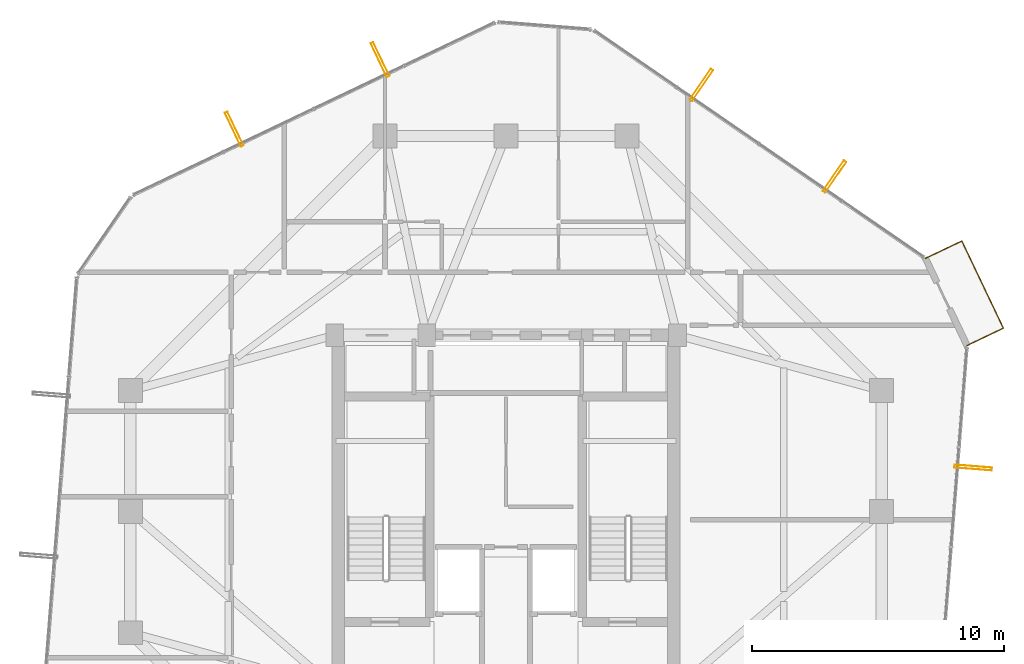
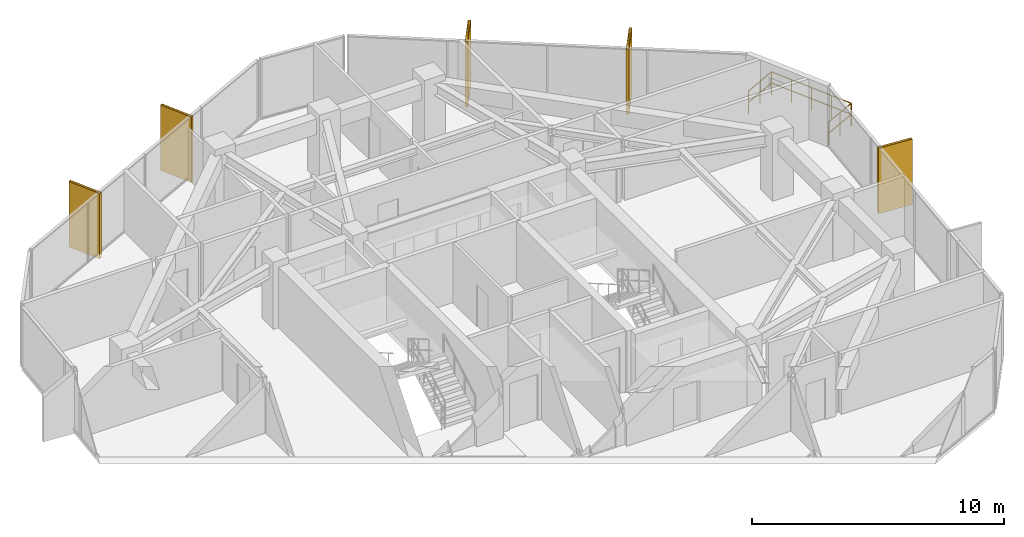
# One storey, part 29 of 29: 5 shading devices, 1 railing.
"""IFC4 building model written with IfcOpenShell, lengths in metres."""

from ifc_helpers import new_model, si_unit, direction, frame, origin, origin_2d, place, context, subcontext, project, spatial, hollow_rectangle, circle, extrude, material, material_profile, profile_set, type_object, element, save


model = new_model("IFC4")

# Units and contexts
model_context = context("Model", 3, precision=1e-05, world=origin(), true_north=direction((0.0, 1.0)))
body_context = subcontext(model_context, "Body", "Model", "MODEL_VIEW")
ifc_project = project(units=[si_unit("LENGTHUNIT", "METRE"), si_unit("AREAUNIT", "SQUARE_METRE"), si_unit("VOLUMEUNIT", "CUBIC_METRE"), si_unit("PLANEANGLEUNIT", "RADIAN"), si_unit("MASSUNIT", "GRAM", prefix="KILO")], contexts=[model_context])

# Site, building, storey
site_placement = place(None, origin())
site = spatial("IfcSite", under=ifc_project, at=site_placement, CompositionType="ELEMENT")
building_placement = place(site_placement, origin())
building = spatial("IfcBuilding", under=site, at=building_placement, Name="Veraguas Prism Commons", CompositionType="ELEMENT")
storey_placement = place(building_placement, frame((0.0, 0.0, 222.14990234375)))
storey = spatial("IfcBuildingStorey", under=building, at=storey_placement, Name="L63", CompositionType="ELEMENT", Elevation=222.14990234375)

# Shading devices
ifc_material_1 = material(Name="Anodised aluminium EN AW-6063 T6", Category="aluminium")
ifc_material_profile = material_profile(ifc_material_1, hollow_rectangle(XDim=0.1201171875, YDim=1.489990234375, WallThickness=0.006103515625, at=origin_2d()), Name="FIN120X1490X6")
ifc_profile_set = profile_set([ifc_material_profile], Name="Anodised aluminium EN AW-6063 T6")
shading_device_type = type_object("IfcShadingDeviceType", Name="Deep Pale-Metal Vertical Solar Fin 120x1490", PredefinedType="USERDEFINED", material=ifc_profile_set)
for number, where, z_axis, x_axis, name in (
    (1, (37.03076171875, 37.291015625, -0.21484375), (0.0, 0.0, 1.0), (-0.823925458129, 0.566698190792, 0.0), "Vertical Pale-Metal Solar Fin L63-F1A"),
    (2, (31.750244140625, 40.9228515625, -0.21484375), (0.0, 0.0, 1.0), (-0.823925458129, 0.566698190792, 0.0), "Vertical Pale-Metal Solar Fin L63-F1B"),
    (3, (19.0048828125, 41.930419921875, -0.21484375), (0.0, 0.0, 1.0), (-0.902734755245, -0.430197584457, 0.0), "Vertical Pale-Metal Solar Fin L63-F2A"),
    (4, (13.219482421875, 39.173095703125, -0.21484375), (0.0, 0.0, 1.0), (-0.902734755245, -0.430197584457, 0.0), "Vertical Pale-Metal Solar Fin L63-F2B"),
    (5, (42.53076171875, 25.74951171875, -0.21484375), (0.0, 0.0, 1.0), (0.078808820639, 0.996889748061, 0.0), "Vertical Pale-Metal Solar Fin L63-F6B"),
):
    element("IfcShadingDevice", number, at=place(storey_placement, frame(where, z_axis=z_axis, x_axis=x_axis)), inside=storey, type_object=shading_device_type, Name=name, ObjectType="FIN", PredefinedType="USERDEFINED", context=body_context, shape_type="SweptSolid", body=[
        extrude(hollow_rectangle(XDim=0.1201171875, YDim=1.489990234375, WallThickness=0.006103515625, at=origin_2d()), origin(), (0.0, 0.0, 1.0), 3.1650390625),
    ])

# Railing
ifc_material_2 = material(Name="Stainless steel AISI 316", Category="steel")
railing_type = type_object("IfcRailingType", Name="Loggia and Sky Pool Glazed Balustrade 1120", PredefinedType="BALUSTRADE", material=ifc_material_2)
railing_placement = place(storey_placement, frame((42.28662109375, 30.590576171875, 0.0)))
element("IfcRailing", 6, at=railing_placement, inside=storey, type_object=railing_type, Name="Recessed Corner Loggia L63-C1 Guard", PredefinedType="BALUSTRADE", context=body_context, shape_type="SweptSolid", body=[
    extrude(circle(Radius=0.02392578125, at=origin_2d()), frame((0.0, 0.0, 1.09619140625), z_axis=(0.902750485669, 0.430164573884, 0.0), x_axis=(-0.430164573884, 0.902750485669, 0.0)), (0.0, 0.0, 1.0), 1.599853515625),
    extrude(circle(Radius=0.02392578125, at=origin_2d()), frame((0.0, 0.0, 0.56005859375), z_axis=(0.902750485669, 0.430164573884, 0.0), x_axis=(-0.430164573884, 0.902750485669, 0.0)), (0.0, 0.0, 1.0), 1.599853515625),
    extrude(circle(Radius=0.02392578125, at=origin_2d()), frame((1.4443359375, 0.688232421875, 1.09619140625), z_axis=(-0.430222724402, 0.902722774393, 0.0), x_axis=(-0.902722774393, -0.430222724402, 0.0)), (0.0, 0.0, 1.0), 3.83447265625),
    extrude(circle(Radius=0.02392578125, at=origin_2d()), frame((1.4443359375, 0.688232421875, 0.56005859375), z_axis=(-0.430222724402, 0.902722774393, 0.0), x_axis=(-0.902722774393, -0.430222724402, 0.0)), (0.0, 0.0, 1.0), 3.83447265625),
    extrude(circle(Radius=0.02392578125, at=origin_2d()), frame((-0.205322265625, 4.149658203125, 1.09619140625), z_axis=(-0.902750485669, -0.430164573884, 0.0), x_axis=(0.430164573884, -0.902750485669, 0.0)), (0.0, 0.0, 1.0), 1.599853515625),
    extrude(circle(Radius=0.02392578125, at=origin_2d()), frame((-0.205322265625, 4.149658203125, 0.56005859375), z_axis=(-0.902750485669, -0.430164573884, 0.0), x_axis=(0.430164573884, -0.902750485669, 0.0)), (0.0, 0.0, 1.0), 1.599853515625),
    extrude(circle(Radius=0.02099609375, at=origin_2d()), origin(), (0.0, 0.0, 1.0), 1.072021484375),
    extrude(circle(Radius=0.02099609375, at=origin_2d()), frame((0.72216796875, 0.34423828125, 0.0)), (0.0, 0.0, 1.0), 1.072021484375),
    extrude(circle(Radius=0.02099609375, at=origin_2d()), frame((1.4443359375, 0.688232421875, 0.0)), (0.0, 0.0, 1.0), 1.072021484375),
    extrude(circle(Radius=0.02099609375, at=origin_2d()), frame((1.031982421875, 1.5537109375, 0.0)), (0.0, 0.0, 1.0), 1.072021484375),
    extrude(circle(Radius=0.02099609375, at=origin_2d()), frame((0.61962890625, 2.4189453125, 0.0)), (0.0, 0.0, 1.0), 1.072021484375),
    extrude(circle(Radius=0.02099609375, at=origin_2d()), frame((0.20703125, 3.2841796875, 0.0)), (0.0, 0.0, 1.0), 1.072021484375),
    extrude(circle(Radius=0.02099609375, at=origin_2d()), frame((-0.205322265625, 4.149658203125, 0.0)), (0.0, 0.0, 1.0), 1.072021484375),
    extrude(circle(Radius=0.02099609375, at=origin_2d()), frame((-0.927490234375, 3.8056640625, 0.0)), (0.0, 0.0, 1.0), 1.072021484375),
    extrude(circle(Radius=0.02099609375, at=origin_2d()), frame((-1.649658203125, 3.46142578125, 0.0)), (0.0, 0.0, 1.0), 1.072021484375),
])

save(model, "model.ifc")
